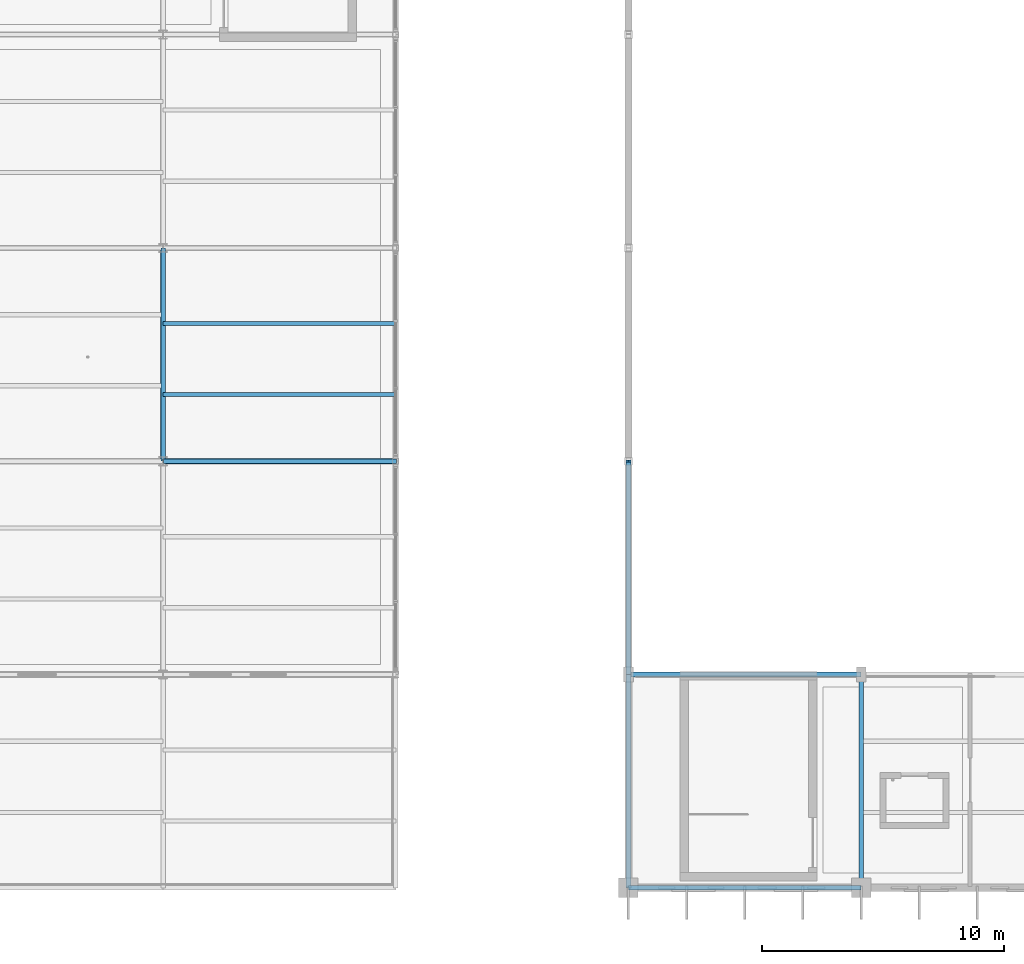
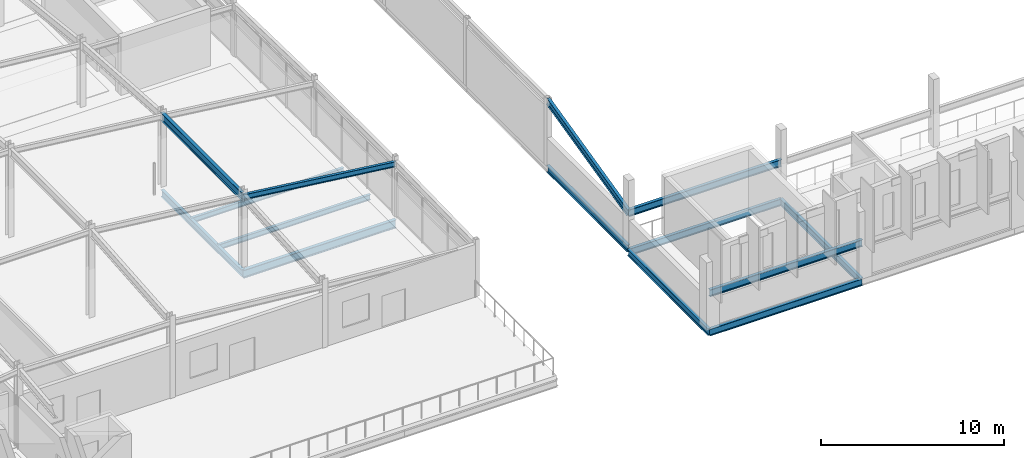
# One storey, part 24 of 114: 13 beams, 1 member.
"""IFC4 building model written with IfcOpenShell, lengths in metres."""

from ifc_helpers import new_model, si_unit, direction, frame, origin, origin_2d, place, context, subcontext, project, spatial, i_section, extrude, material, material_profile, profile_set, type_object, element, save


model = new_model("IFC4")

# Units and contexts
model_context = context("Model", 3, precision=1e-05, world=origin(), true_north=direction((0.0, 1.0)))
body_context = subcontext(model_context, "Body", "Model", "MODEL_VIEW")
ifc_project = project(units=[si_unit("LENGTHUNIT", "METRE"), si_unit("AREAUNIT", "SQUARE_METRE"), si_unit("VOLUMEUNIT", "CUBIC_METRE"), si_unit("PLANEANGLEUNIT", "RADIAN"), si_unit("MASSUNIT", "GRAM", prefix="KILO")], contexts=[model_context])

# Site, building, storey
site_placement = place(None, origin())
site = spatial("IfcSite", under=ifc_project, at=site_placement, CompositionType="ELEMENT")
building_placement = place(site_placement, origin())
building = spatial("IfcBuilding", under=site, at=building_placement, Name="Chalmorin Arch Market", CompositionType="ELEMENT")
storey_placement = place(building_placement, frame((0.0, 0.0, 9.60009765625)))
storey = spatial("IfcBuildingStorey", under=building, at=storey_placement, Name="L02", CompositionType="ELEMENT", Elevation=9.60009765625)

# Beams
ifc_material = material(Name="Steel A992 Grade 50", Category="steel")
ifc_material_profile_1 = material_profile(ifc_material, i_section(OverallWidth=0.19091796875, OverallDepth=0.45703125, WebThickness=0.009033203125, FlangeThickness=0.014404296875, FilletRadius=0.02001953125, at=origin_2d()), Name="W18X50")
ifc_profile_set_1 = profile_set([ifc_material_profile_1], Name="Steel A992 Grade 50")
beam_type_1 = type_object("IfcBeamType", Name="FloorSteelBeam-W18X50", PredefinedType="BEAM", material=ifc_profile_set_1)
beam_1_placement = place(storey_placement, frame((57.60009765625, 6.0, -0.460693359375), z_axis=(0.0, 1.0, 0.0), x_axis=(-1.0, 0.0, 0.0)))
element("IfcBeam", 1, at=beam_1_placement, inside=storey, type_object=beam_type_1, Name="BM-W18B-1081", PredefinedType="BEAM", context=body_context, shape_type="SweptSolid", body=[
    extrude(i_section(OverallWidth=0.19091796875, OverallDepth=0.45703125, WebThickness=0.009033203125, FlangeThickness=0.014404296875, FilletRadius=0.02001953125, at=origin_2d()), origin(), (0.0, 0.0, 1.0), 8.800048828125),
])
beam_2_placement = place(storey_placement, frame((28.800048828125, 23.60009765625, -0.480712890625), z_axis=(0.0, 1.0, 0.0), x_axis=(-1.0, 0.0, 0.0)))
element("IfcBeam", 2, at=beam_2_placement, inside=storey, type_object=beam_type_1, Name="BM-W18B-1167", PredefinedType="BEAM", context=body_context, shape_type="SweptSolid", body=[
    extrude(i_section(OverallWidth=0.19091796875, OverallDepth=0.45703125, WebThickness=0.009033203125, FlangeThickness=0.014404296875, FilletRadius=0.02001953125, at=origin_2d()), origin(), (0.0, 0.0, 1.0), 8.7998046875),
])
beam_3_placement = place(storey_placement, frame((48.0, 14.800048828125, 2.14990234375), z_axis=(0.0, 0.972685343539, 0.232127599532), x_axis=(-1.0, 0.0, 0.0)))
element("IfcBeam", 3, at=beam_3_placement, inside=storey, type_object=beam_type_1, Name="BM-W18B-1796", PredefinedType="BEAM", context=body_context, shape_type="SweptSolid", body=[
    extrude(i_section(OverallWidth=0.19091796875, OverallDepth=0.45703125, WebThickness=0.009033203125, FlangeThickness=0.014404296875, FilletRadius=0.02001953125, at=origin_2d()), origin(), (0.0, 0.0, 1.0), 9.047119140625),
])
ifc_material_profile_2 = material_profile(ifc_material, i_section(OverallWidth=0.193115234375, OverallDepth=0.466064453125, WebThickness=0.011474609375, FlangeThickness=0.01904296875, FilletRadius=0.02001953125, at=origin_2d()), Name="W18X65")
ifc_profile_set_2 = profile_set([ifc_material_profile_2], Name="Steel A992 Grade 50")
beam_type_2 = type_object("IfcBeamType", Name="FloorSteelBeam-W18X65", PredefinedType="BEAM", material=ifc_profile_set_2)
for number, where, z_axis, x_axis, name in (
    (4, (48.0, 6.0, 2.14990234375), (1.0, 0.0, 0.0), (0.0, 1.0, 0.0), "BM-W18A-1764"),
    (5, (48.0, 14.800048828125, 2.14990234375), (1.0, 0.0, 0.0), (0.0, 1.0, 0.0), "BM-W18A-1765"),
):
    element("IfcBeam", number, at=place(storey_placement, frame(where, z_axis=z_axis, x_axis=x_axis)), inside=storey, type_object=beam_type_2, Name=name, PredefinedType="BEAM", context=body_context, shape_type="SweptSolid", body=[
        extrude(i_section(OverallWidth=0.193115234375, OverallDepth=0.466064453125, WebThickness=0.011474609375, FlangeThickness=0.01904296875, FilletRadius=0.02001953125, at=origin_2d()), origin(), (0.0, 0.0, 1.0), 9.60009765625),
    ])
ifc_material_profile_3 = material_profile(ifc_material, i_section(OverallWidth=0.19091796875, OverallDepth=0.45703125, WebThickness=0.009033203125, FlangeThickness=0.014404296875, FilletRadius=0.02001953125, at=origin_2d()), Name="W18X50")
ifc_profile_set_3 = profile_set([ifc_material_profile_3], Name="Steel A992 Grade 50")
beam_type_3 = type_object("IfcBeamType", Name="PerimeterSpandrelBeam-W18X50", PredefinedType="SPANDREL", material=ifc_profile_set_3)
for number, where, z_axis, x_axis, name in (
    (6, (48.0, 6.0, -0.460693359375), (1.0, 0.0, 0.0), (0.0, 1.0, 0.0), "SP-W18-1078"),
    (7, (48.0, 14.800048828125, -0.460693359375), (1.0, 0.0, 0.0), (0.0, 1.0, 0.0), "SP-W18-1079"),
):
    element("IfcBeam", number, at=place(storey_placement, frame(where, z_axis=z_axis, x_axis=x_axis)), inside=storey, type_object=beam_type_3, Name=name, PredefinedType="SPANDREL", context=body_context, shape_type="SweptSolid", body=[
        extrude(i_section(OverallWidth=0.19091796875, OverallDepth=0.45703125, WebThickness=0.009033203125, FlangeThickness=0.014404296875, FilletRadius=0.02001953125, at=origin_2d()), origin(), (0.0, 0.0, 1.0), 9.60009765625),
    ])
for number, where, z_axis, x_axis, name in (
    (8, (48.0, 6.0, -0.460693359375), (0.0, 1.0, 0.0), (-1.0, 0.0, 0.0), "SP-W18-1080"),
    (9, (48.0, 14.800048828125, -0.22998046875), (0.0, 1.0, 0.0), (-1.0, 0.0, 0.0), "SP-W18-1367"),
):
    element("IfcBeam", number, at=place(storey_placement, frame(where, z_axis=z_axis, x_axis=x_axis)), inside=storey, type_object=beam_type_3, Name=name, PredefinedType="SPANDREL", context=body_context, shape_type="SweptSolid", body=[
        extrude(i_section(OverallWidth=0.19091796875, OverallDepth=0.45703125, WebThickness=0.009033203125, FlangeThickness=0.014404296875, FilletRadius=0.02001953125, at=origin_2d()), origin(), (0.0, 0.0, 1.0), 8.800048828125),
    ])
ifc_material_profile_4 = material_profile(ifc_material, i_section(OverallWidth=0.208984375, OverallDepth=0.532958984375, WebThickness=0.01025390625, FlangeThickness=0.015625, FilletRadius=0.02197265625, at=origin_2d()), Name="W21X62")
ifc_profile_set_4 = profile_set([ifc_material_profile_4], Name="Steel A992 Grade 50")
beam_type_4 = type_object("IfcBeamType", Name="PrimarySteelGirder-W21X62", PredefinedType="BEAM", material=ifc_profile_set_4)
beam_4_placement = place(storey_placement, frame((28.800048828125, 23.60009765625, 4.619873046875), z_axis=(0.0, 0.999999676332, 0.000804571929), x_axis=(-1.0, 0.0, 0.0)))
element("IfcBeam", 10, at=beam_4_placement, inside=storey, type_object=beam_type_4, Name="BG-W21B-1538", PredefinedType="BEAM", context=body_context, shape_type="SweptSolid", body=[
    extrude(i_section(OverallWidth=0.208984375, OverallDepth=0.532958984375, WebThickness=0.01025390625, FlangeThickness=0.015625, FilletRadius=0.02197265625, at=origin_2d()), origin(), (0.0, 0.0, 1.0), 8.7998046875),
])
ifc_material_profile_5 = material_profile(ifc_material, i_section(OverallWidth=0.2119140625, OverallDepth=0.5439453125, WebThickness=0.01318359375, FlangeThickness=0.021240234375, FilletRadius=0.02197265625, at=origin_2d()), Name="W21X83")
ifc_profile_set_5 = profile_set([ifc_material_profile_5], Name="Steel A992 Grade 50")
beam_type_5 = type_object("IfcBeamType", Name="PrimarySteelGirder-W21X83", PredefinedType="BEAM", material=ifc_profile_set_5)
beam_5_placement = place(storey_placement, frame((28.800048828125, 23.60009765625, -0.524169921875), z_axis=(1.0, 0.0, 0.0), x_axis=(0.0, 1.0, 0.0)))
element("IfcBeam", 11, at=beam_5_placement, inside=storey, type_object=beam_type_5, Name="BG-W21A-1175", PredefinedType="BEAM", context=body_context, shape_type="SweptSolid", body=[
    extrude(i_section(OverallWidth=0.2119140625, OverallDepth=0.5439453125, WebThickness=0.01318359375, FlangeThickness=0.021240234375, FilletRadius=0.02197265625, at=origin_2d()), origin(), (0.0, 0.0, 1.0), 9.599853515625),
])

# Member
ifc_material_profile_6 = material_profile(ifc_material, i_section(OverallWidth=0.1708984375, OverallDepth=0.35107421875, WebThickness=0.0068359375, FlangeThickness=0.009765625, FilletRadius=0.014892578125, at=origin_2d()), Name="W14X30")
ifc_profile_set_6 = profile_set([ifc_material_profile_6], Name="Steel A992 Grade 50")
member_type = type_object("IfcMemberType", Name="RoofSteelPurlin-W14X30", PredefinedType="PURLIN", material=ifc_profile_set_6)
member_placement = place(storey_placement, frame((28.800048828125, 23.60009765625, 4.579833984375), z_axis=(0.992938005174, 0.0, -0.118634387434), x_axis=(0.0, 1.0, 0.0)))
element("IfcMember", 12, at=member_placement, inside=storey, type_object=member_type, Name="PR-W14-0023", PredefinedType="PURLIN", context=body_context, shape_type="SweptSolid", body=[
    extrude(i_section(OverallWidth=0.1708984375, OverallDepth=0.35107421875, WebThickness=0.0068359375, FlangeThickness=0.009765625, FilletRadius=0.014892578125, at=origin_2d()), origin(), (0.0, 0.0, 1.0), 9.668212890625),
])

# Beams
ifc_material_profile_7 = material_profile(ifc_material, i_section(OverallWidth=0.1708984375, OverallDepth=0.35107421875, WebThickness=0.0068359375, FlangeThickness=0.009765625, FilletRadius=0.014892578125, at=origin_2d()), Name="W14X30")
ifc_profile_set_7 = profile_set([ifc_material_profile_7], Name="Steel A992 Grade 50")
beam_type_6 = type_object("IfcBeamType", Name="SecondaryFloorJoist-W14X30", PredefinedType="JOIST", material=ifc_profile_set_7)
for number, where, z_axis, x_axis, name in (
    (13, (28.800048828125, 26.353271484375, -0.427490234375), (1.0, 0.0, 0.0), (0.0, 1.0, 0.0), "BJ-W14-1215"),
    (14, (28.800048828125, 29.28662109375, -0.427490234375), (1.0, 0.0, 0.0), (0.0, 1.0, 0.0), "BJ-W14-1216"),
):
    element("IfcBeam", number, at=place(storey_placement, frame(where, z_axis=z_axis, x_axis=x_axis)), inside=storey, type_object=beam_type_6, Name=name, PredefinedType="JOIST", context=body_context, shape_type="SweptSolid", body=[
        extrude(i_section(OverallWidth=0.1708984375, OverallDepth=0.35107421875, WebThickness=0.0068359375, FlangeThickness=0.009765625, FilletRadius=0.014892578125, at=origin_2d()), origin(), (0.0, 0.0, 1.0), 9.599853515625),
    ])

save(model, "model.ifc")
